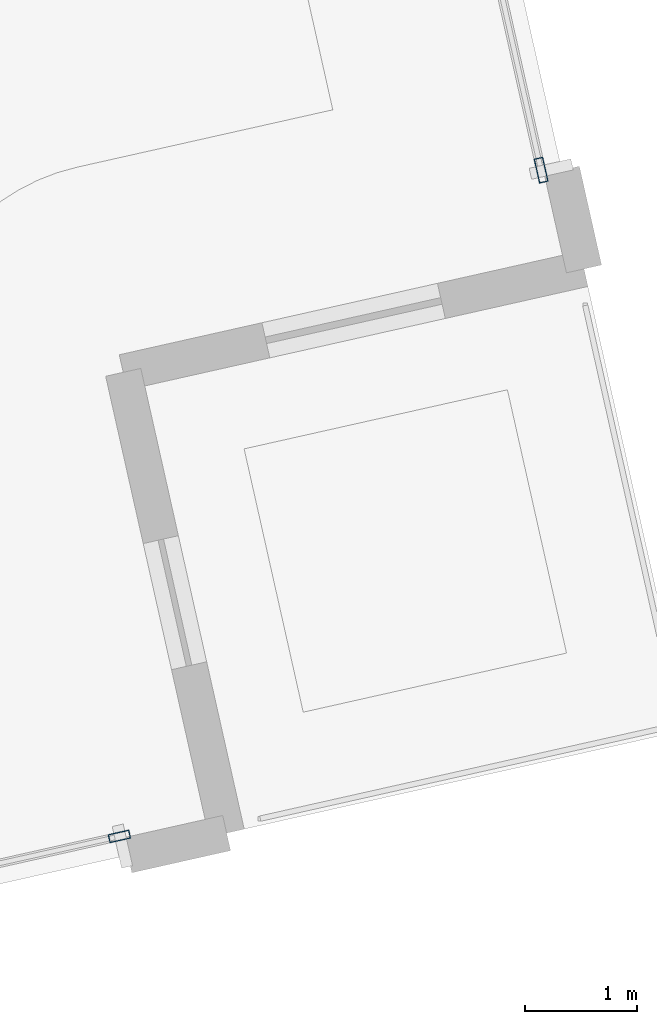
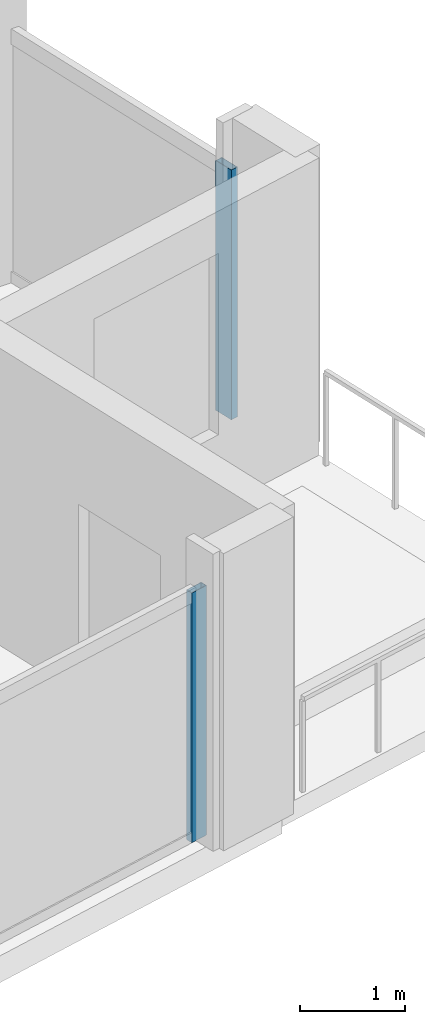
# One storey, part 9 of 32: 2 members, 2 elements without a shape of their own.
"""IFC4 building model written with IfcOpenShell, lengths in metres."""

from ifc_helpers import new_model, si_unit, direction, frame, origin, origin_2d, place, context, subcontext, project, spatial, hollow_rectangle, extrude, material, material_profile, profile_set, type_object, element, aggregate, save


model = new_model("IFC4")

# Units and contexts
model_context = context("Model", 3, precision=1e-05, world=origin(), true_north=direction((0.0, 1.0)))
body_context = subcontext(model_context, "Body", "Model", "MODEL_VIEW")
ifc_project = project(units=[si_unit("LENGTHUNIT", "METRE"), si_unit("AREAUNIT", "SQUARE_METRE"), si_unit("VOLUMEUNIT", "CUBIC_METRE"), si_unit("PLANEANGLEUNIT", "RADIAN"), si_unit("MASSUNIT", "GRAM", prefix="KILO")], contexts=[model_context])

# Site, building, storey
site_placement = place(None, origin())
site = spatial("IfcSite", under=ifc_project, at=site_placement, CompositionType="ELEMENT")
building_placement = place(site_placement, origin())
building = spatial("IfcBuilding", under=site, at=building_placement, Name="Haldenkirk Collegiate Tower", CompositionType="ELEMENT")
storey_placement = place(building_placement, frame((0.0, 0.0, 70.199951171875)))
storey = spatial("IfcBuildingStorey", under=building, at=storey_placement, Name="L16", CompositionType="ELEMENT", Elevation=70.199951171875)

# Curtain wall, member
ifc_material = material(Name="Anodised architectural bronze aluminium", Category="aluminium")
curtain_wall_type_1 = type_object("IfcCurtainWallType", Name="CW-SYS2-CONCAVE", PredefinedType="USERDEFINED", material=ifc_material)
curtain_wall_1_placement = place(storey_placement, origin())
curtain_wall_1 = element("IfcCurtainWall", 1, at=curtain_wall_1_placement, inside=storey, type_object=curtain_wall_type_1, Name="L16 South concave recessed bronze-anodised curtain wall", ObjectType="UNITISED CURTAIN WALL", PredefinedType="USERDEFINED")
ifc_material_profile_1 = material_profile(ifc_material, hollow_rectangle(XDim=0.074951171875, YDim=0.18994140625, WallThickness=0.0048828125, at=origin_2d()), Name="CW-MUL-02")
ifc_profile_set_1 = profile_set([ifc_material_profile_1], Name="Anodised architectural bronze aluminium")
member_type_1 = type_object("IfcMemberType", Name="CW-MUL-02", PredefinedType="MULLION", material=ifc_profile_set_1)
member_1_placement = place(storey_placement, frame((62.387451171875, 6.664306640625, 0.0), z_axis=(0.0, 0.0, 1.0), x_axis=(0.218993578578, -0.975726300015, 0.0)))
member_1 = element("IfcMember", 2, at=member_1_placement, type_object=member_type_1, Name="CW-02 mullion 1", PredefinedType="MULLION", context=body_context, shape_type="SweptSolid", body=[
    extrude(hollow_rectangle(XDim=0.074951171875, YDim=0.18994140625, WallThickness=0.0048828125, at=origin_2d()), origin(), (0.0, 0.0, 1.0), 2.89111328125),
])
aggregate(curtain_wall_1, [member_1])

curtain_wall_type_2 = type_object("IfcCurtainWallType", Name="CW-SYS1-CONVEX-LOW", PredefinedType="USERDEFINED", material=ifc_material)
curtain_wall_2_placement = place(storey_placement, origin())
curtain_wall_2 = element("IfcCurtainWall", 3, at=curtain_wall_2_placement, inside=storey, type_object=curtain_wall_type_2, Name="L16 Lower tower convex bronze-framed unitised curtain wall", ObjectType="UNITISED CURTAIN WALL", PredefinedType="USERDEFINED")
ifc_material_profile_2 = material_profile(ifc_material, hollow_rectangle(XDim=0.080078125, YDim=0.219970703125, WallThickness=0.0048828125, at=origin_2d()), Name="CW-MUL-1A")
ifc_profile_set_2 = profile_set([ifc_material_profile_2], Name="Anodised architectural bronze aluminium")
member_type_2 = type_object("IfcMemberType", Name="CW-MUL-1A", PredefinedType="MULLION", material=ifc_profile_set_2)
member_2_placement = place(storey_placement, frame((66.138427734375, 12.58984375, 0.0), z_axis=(0.0, 0.0, 1.0), x_axis=(0.975725911178, 0.218995311037, 0.0)))
member_2 = element("IfcMember", 4, at=member_2_placement, type_object=member_type_2, Name="CW-1A mullion 5", PredefinedType="MULLION", context=body_context, shape_type="SweptSolid", body=[
    extrude(hollow_rectangle(XDim=0.080078125, YDim=0.219970703125, WallThickness=0.0048828125, at=origin_2d()), origin(), (0.0, 0.0, 1.0), 2.89111328125),
])
aggregate(curtain_wall_2, [member_2])

save(model, "model.ifc")
